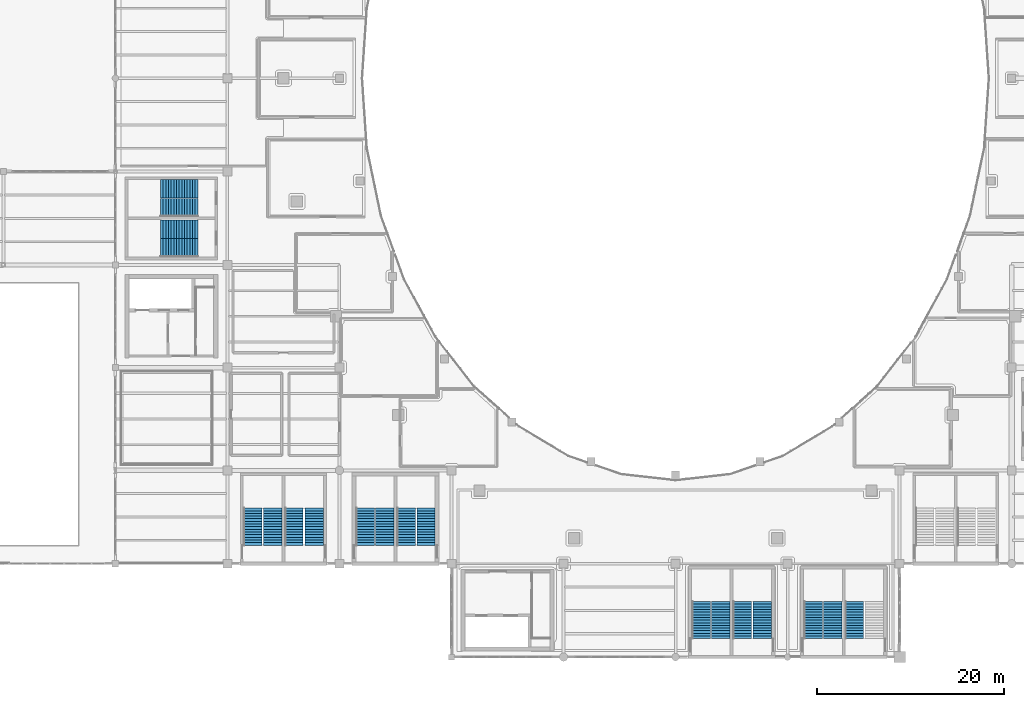
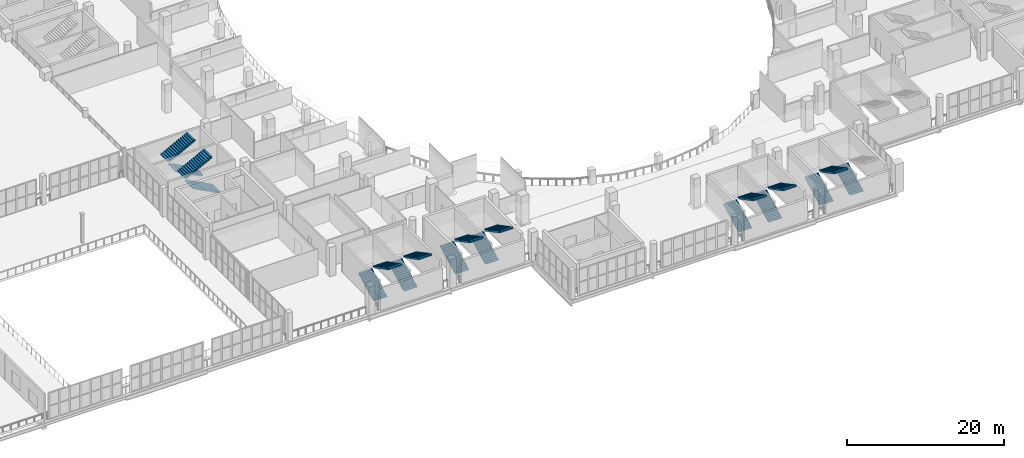
# One storey, part 69 of 90: 19 stair flights, 10 elements without a shape of their own.
"""IFC4 building model written with IfcOpenShell, lengths in metres."""

from ifc_helpers import new_model, si_unit, direction, frame, origin, place, context, subcontext, project, spatial, polyline, outline, extrude, material, layer, layer_set, type_object, element, aggregate, save


model = new_model("IFC4")

# Units and contexts
model_context = context("Model", 3, precision=1e-05, world=origin(), true_north=direction((0.0, 1.0)))
body_context = subcontext(model_context, "Body", "Model", "MODEL_VIEW")
ifc_project = project(units=[si_unit("LENGTHUNIT", "METRE"), si_unit("AREAUNIT", "SQUARE_METRE"), si_unit("VOLUMEUNIT", "CUBIC_METRE"), si_unit("PLANEANGLEUNIT", "RADIAN"), si_unit("MASSUNIT", "GRAM", prefix="KILO")], contexts=[model_context])

# Site, building, storey
site_placement = place(None, origin())
site = spatial("IfcSite", under=ifc_project, at=site_placement, CompositionType="ELEMENT")
building_placement = place(site_placement, origin())
building = spatial("IfcBuilding", under=site, at=building_placement, Name="Brinegate Civic Arena", CompositionType="ELEMENT")
storey_placement = place(building_placement, frame((0.0, 0.0, 14.699951171875)))
storey = spatial("IfcBuildingStorey", under=building, at=storey_placement, Name="L03", CompositionType="ELEMENT", Elevation=14.699951171875)

# Stair, stair flights
ifc_material = material(Name="Concrete C40/50", Category="concrete")
stair_type_1 = type_object("IfcStairType", Name="STAIR-EXIT-3700", PredefinedType="HALF_TURN_STAIR", material=ifc_material)
stair_1_placement = place(storey_placement, origin())
stair_1 = element("IfcStair", 1, at=stair_1_placement, inside=storey, type_object=stair_type_1, Name="Protected Exit Stair ST-02B (L03)", PredefinedType="HALF_TURN_STAIR")
ifc_layer_1 = layer(ifc_material, 0.179931640625, Name="Concrete C40/50")
ifc_layer_set_1 = layer_set([ifc_layer_1], Name="Concrete C40/50")
stair_flight_type_1 = type_object("IfcStairFlightType", Name="FLIGHT-EXIT-3700", PredefinedType="STRAIGHT", material=ifc_layer_set_1)
stair_flight_1_placement = place(storey_placement, frame((67.139892578125, 11.969970703125, 0.0), z_axis=(0.0, 0.0, 1.0), x_axis=(0.0, 1.0, 0.0)))
stair_flight_1 = element("IfcStairFlight", 2, at=stair_flight_1_placement, type_object=stair_flight_type_1, Name="ST-02B flight 1", NumberOfRisers=15, NumberOfTreads=14, PredefinedType="STRAIGHT", RiserHeight=0.15, TreadLength=0.285, context=body_context, shape_type="SweptSolid", body=[
    extrude(outline(polyline([(0.0, 0.0), (0.0, 0.14990234375), (0.284912109375, 0.14990234375), (0.284912109375, 0.300048828125), (0.570068359375, 0.300048828125), (0.570068359375, 0.449951171875), (0.85498046875, 0.449951171875), (0.85498046875, 0.60009765625), (1.139892578125, 0.60009765625), (1.139892578125, 0.75), (1.425048828125, 0.75), (1.425048828125, 0.89990234375), (1.7099609375, 0.89990234375), (1.7099609375, 1.050048828125), (1.9951171875, 1.050048828125), (1.9951171875, 1.199951171875), (2.280029296875, 1.199951171875), (2.280029296875, 1.35009765625), (2.56494140625, 1.35009765625), (2.56494140625, 1.5), (2.85009765625, 1.5), (2.85009765625, 1.64990234375), (3.135009765625, 1.64990234375), (3.135009765625, 1.800048828125), (3.419921875, 1.800048828125), (3.419921875, 1.949951171875), (3.705078125, 1.949951171875), (3.705078125, 2.10009765625), (3.989990234375, 2.10009765625), (3.989990234375, 2.25), (3.989990234375, 1.896728515625), (0.38623046875, 0.0), (0.0, 0.0)])), frame((0.0, 0.97998046875, 0.0), z_axis=(0.0, -1.0, 0.0), x_axis=(1.0, 0.0, 0.0)), (0.0, 0.0, 1.0), 1.9599609375),
])
stair_flight_2_placement = place(storey_placement, frame((69.31005859375, 15.9599609375, 2.25), z_axis=(0.0, 0.0, 1.0), x_axis=(0.0, -1.0, 0.0)))
stair_flight_2 = element("IfcStairFlight", 3, at=stair_flight_2_placement, type_object=stair_flight_type_1, Name="ST-02B flight 2", NumberOfRisers=15, NumberOfTreads=14, PredefinedType="STRAIGHT", RiserHeight=0.15, TreadLength=0.285, context=body_context, shape_type="SweptSolid", body=[
    extrude(outline(polyline([(0.0, 0.0), (0.0, 0.14990234375), (0.284912109375, 0.14990234375), (0.284912109375, 0.300048828125), (0.570068359375, 0.300048828125), (0.570068359375, 0.449951171875), (0.85498046875, 0.449951171875), (0.85498046875, 0.60009765625), (1.139892578125, 0.60009765625), (1.139892578125, 0.75), (1.425048828125, 0.75), (1.425048828125, 0.89990234375), (1.7099609375, 0.89990234375), (1.7099609375, 1.050048828125), (1.9951171875, 1.050048828125), (1.9951171875, 1.199951171875), (2.280029296875, 1.199951171875), (2.280029296875, 1.35009765625), (2.56494140625, 1.35009765625), (2.56494140625, 1.5), (2.85009765625, 1.5), (2.85009765625, 1.64990234375), (3.135009765625, 1.64990234375), (3.135009765625, 1.800048828125), (3.419921875, 1.800048828125), (3.419921875, 1.949951171875), (3.705078125, 1.949951171875), (3.705078125, 2.10009765625), (3.989990234375, 2.10009765625), (3.989990234375, 2.25), (3.989990234375, 1.896728515625), (0.38623046875, 0.0), (0.0, 0.0)])), frame((0.0, 0.97998046875, 0.0), z_axis=(0.0, -1.0, 0.0), x_axis=(1.0, 0.0, 0.0)), (0.0, 0.0, 1.0), 1.9599609375),
])
aggregate(stair_1, [stair_flight_1, stair_flight_2])

# Stair, stair flight
stair_2_placement = place(storey_placement, origin())
stair_2 = element("IfcStair", 4, at=stair_2_placement, inside=storey, type_object=stair_type_1, Name="Protected Exit Stair ST-04B (L03)", PredefinedType="HALF_TURN_STAIR")
stair_flight_3_placement = place(storey_placement, frame((127.139892578125, 1.969970703125, 0.0), z_axis=(0.0, 0.0, 1.0), x_axis=(0.0, 1.0, 0.0)))
stair_flight_3 = element("IfcStairFlight", 5, at=stair_flight_3_placement, type_object=stair_flight_type_1, Name="ST-04B flight 1", NumberOfRisers=15, NumberOfTreads=14, PredefinedType="STRAIGHT", RiserHeight=0.15, TreadLength=0.285, context=body_context, shape_type="SweptSolid", body=[
    extrude(outline(polyline([(0.0, 0.0), (0.0, 0.14990234375), (0.284912109375, 0.14990234375), (0.284912109375, 0.300048828125), (0.570068359375, 0.300048828125), (0.570068359375, 0.449951171875), (0.85498046875, 0.449951171875), (0.85498046875, 0.60009765625), (1.139892578125, 0.60009765625), (1.139892578125, 0.75), (1.425048828125, 0.75), (1.425048828125, 0.89990234375), (1.7099609375, 0.89990234375), (1.7099609375, 1.050048828125), (1.9951171875, 1.050048828125), (1.9951171875, 1.199951171875), (2.280029296875, 1.199951171875), (2.280029296875, 1.35009765625), (2.56494140625, 1.35009765625), (2.56494140625, 1.5), (2.85009765625, 1.5), (2.85009765625, 1.64990234375), (3.135009765625, 1.64990234375), (3.135009765625, 1.800048828125), (3.419921875, 1.800048828125), (3.419921875, 1.949951171875), (3.705078125, 1.949951171875), (3.705078125, 2.10009765625), (3.989990234375, 2.10009765625), (3.989990234375, 2.25), (3.989990234375, 1.896728515625), (0.38623046875, 0.0), (0.0, 0.0)])), frame((0.0, 0.97998046875, 0.0), z_axis=(0.0, -1.0, 0.0), x_axis=(1.0, 0.0, 0.0)), (0.0, 0.0, 1.0), 1.9599609375),
])
aggregate(stair_2, [stair_flight_3])

# Stair, stair flights
stair_3_placement = place(storey_placement, origin())
stair_3 = element("IfcStair", 6, at=stair_3_placement, inside=storey, type_object=stair_type_1, Name="Protected Exit Stair ST-08B (L03)", PredefinedType="HALF_TURN_STAIR")
stair_flight_4_placement = place(storey_placement, frame((56.830078125, 48.139892578125, 0.0), z_axis=(0.0, 0.0, 1.0), x_axis=(-1.0, 0.0, 0.0)))
stair_flight_4 = element("IfcStairFlight", 7, at=stair_flight_4_placement, type_object=stair_flight_type_1, Name="ST-08B flight 1", NumberOfRisers=15, NumberOfTreads=14, PredefinedType="STRAIGHT", RiserHeight=0.15, TreadLength=0.285, context=body_context, shape_type="SweptSolid", body=[
    extrude(outline(polyline([(0.0, 0.0), (0.0, 0.14990234375), (0.284912109375, 0.14990234375), (0.284912109375, 0.300048828125), (0.570068359375, 0.300048828125), (0.570068359375, 0.449951171875), (0.85498046875, 0.449951171875), (0.85498046875, 0.60009765625), (1.139892578125, 0.60009765625), (1.139892578125, 0.75), (1.425048828125, 0.75), (1.425048828125, 0.89990234375), (1.7099609375, 0.89990234375), (1.7099609375, 1.050048828125), (1.9951171875, 1.050048828125), (1.9951171875, 1.199951171875), (2.280029296875, 1.199951171875), (2.280029296875, 1.35009765625), (2.56494140625, 1.35009765625), (2.56494140625, 1.5), (2.85009765625, 1.5), (2.85009765625, 1.64990234375), (3.135009765625, 1.64990234375), (3.135009765625, 1.800048828125), (3.419921875, 1.800048828125), (3.419921875, 1.949951171875), (3.705078125, 1.949951171875), (3.705078125, 2.10009765625), (3.989990234375, 2.10009765625), (3.989990234375, 2.25), (3.989990234375, 1.896728515625), (0.38623046875, 0.0), (0.0, 0.0)])), frame((0.0, 0.97998046875, 0.0), z_axis=(0.0, -1.0, 0.0), x_axis=(1.0, 0.0, 0.0)), (0.0, 0.0, 1.0), 1.9599609375),
])
stair_flight_5_placement = place(storey_placement, frame((52.840087890625, 50.159912109375, 2.25), z_axis=(0.0, 0.0, 1.0), x_axis=(1.0, 0.0, 0.0)))
stair_flight_5 = element("IfcStairFlight", 8, at=stair_flight_5_placement, type_object=stair_flight_type_1, Name="ST-08B flight 2", NumberOfRisers=15, NumberOfTreads=14, PredefinedType="STRAIGHT", RiserHeight=0.15, TreadLength=0.285, context=body_context, shape_type="SweptSolid", body=[
    extrude(outline(polyline([(0.0, 0.0), (0.0, 0.14990234375), (0.284912109375, 0.14990234375), (0.284912109375, 0.300048828125), (0.570068359375, 0.300048828125), (0.570068359375, 0.449951171875), (0.85498046875, 0.449951171875), (0.85498046875, 0.60009765625), (1.139892578125, 0.60009765625), (1.139892578125, 0.75), (1.425048828125, 0.75), (1.425048828125, 0.89990234375), (1.7099609375, 0.89990234375), (1.7099609375, 1.050048828125), (1.9951171875, 1.050048828125), (1.9951171875, 1.199951171875), (2.280029296875, 1.199951171875), (2.280029296875, 1.35009765625), (2.56494140625, 1.35009765625), (2.56494140625, 1.5), (2.85009765625, 1.5), (2.85009765625, 1.64990234375), (3.135009765625, 1.64990234375), (3.135009765625, 1.800048828125), (3.419921875, 1.800048828125), (3.419921875, 1.949951171875), (3.705078125, 1.949951171875), (3.705078125, 2.10009765625), (3.989990234375, 2.10009765625), (3.989990234375, 2.25), (3.989990234375, 1.896728515625), (0.38623046875, 0.0), (0.0, 0.0)])), frame((0.0, 0.97998046875, 0.0), z_axis=(0.0, -1.0, 0.0), x_axis=(1.0, 0.0, 0.0)), (0.0, 0.0, 1.0), 1.9599609375),
])
aggregate(stair_3, [stair_flight_4, stair_flight_5])

stair_4_placement = place(storey_placement, origin())
stair_4 = element("IfcStair", 9, at=stair_4_placement, inside=storey, type_object=stair_type_1, Name="Protected Exit Stair ST-12B (L03)", PredefinedType="HALF_TURN_STAIR")
stair_flight_6_placement = place(storey_placement, frame((79.139892578125, 11.969970703125, 0.0), z_axis=(0.0, 0.0, 1.0), x_axis=(0.0, 1.0, 0.0)))
stair_flight_6 = element("IfcStairFlight", 10, at=stair_flight_6_placement, type_object=stair_flight_type_1, Name="ST-12B flight 1", NumberOfRisers=15, NumberOfTreads=14, PredefinedType="STRAIGHT", RiserHeight=0.15, TreadLength=0.285, context=body_context, shape_type="SweptSolid", body=[
    extrude(outline(polyline([(0.0, 0.0), (0.0, 0.14990234375), (0.284912109375, 0.14990234375), (0.284912109375, 0.300048828125), (0.570068359375, 0.300048828125), (0.570068359375, 0.449951171875), (0.85498046875, 0.449951171875), (0.85498046875, 0.60009765625), (1.139892578125, 0.60009765625), (1.139892578125, 0.75), (1.425048828125, 0.75), (1.425048828125, 0.89990234375), (1.7099609375, 0.89990234375), (1.7099609375, 1.050048828125), (1.9951171875, 1.050048828125), (1.9951171875, 1.199951171875), (2.280029296875, 1.199951171875), (2.280029296875, 1.35009765625), (2.56494140625, 1.35009765625), (2.56494140625, 1.5), (2.85009765625, 1.5), (2.85009765625, 1.64990234375), (3.135009765625, 1.64990234375), (3.135009765625, 1.800048828125), (3.419921875, 1.800048828125), (3.419921875, 1.949951171875), (3.705078125, 1.949951171875), (3.705078125, 2.10009765625), (3.989990234375, 2.10009765625), (3.989990234375, 2.25), (3.989990234375, 1.896728515625), (0.38623046875, 0.0), (0.0, 0.0)])), frame((0.0, 0.97998046875, 0.0), z_axis=(0.0, -1.0, 0.0), x_axis=(1.0, 0.0, 0.0)), (0.0, 0.0, 1.0), 1.9599609375),
])
stair_flight_7_placement = place(storey_placement, frame((81.260009765625, 15.9599609375, 2.25), z_axis=(0.0, 0.0, 1.0), x_axis=(0.0, -1.0, 0.0)))
stair_flight_7 = element("IfcStairFlight", 11, at=stair_flight_7_placement, type_object=stair_flight_type_1, Name="ST-12B flight 2", NumberOfRisers=15, NumberOfTreads=14, PredefinedType="STRAIGHT", RiserHeight=0.15, TreadLength=0.285, context=body_context, shape_type="SweptSolid", body=[
    extrude(outline(polyline([(0.0, 0.0), (0.0, 0.14990234375), (0.284912109375, 0.14990234375), (0.284912109375, 0.300048828125), (0.570068359375, 0.300048828125), (0.570068359375, 0.449951171875), (0.85498046875, 0.449951171875), (0.85498046875, 0.60009765625), (1.139892578125, 0.60009765625), (1.139892578125, 0.75), (1.425048828125, 0.75), (1.425048828125, 0.89990234375), (1.7099609375, 0.89990234375), (1.7099609375, 1.050048828125), (1.9951171875, 1.050048828125), (1.9951171875, 1.199951171875), (2.280029296875, 1.199951171875), (2.280029296875, 1.35009765625), (2.56494140625, 1.35009765625), (2.56494140625, 1.5), (2.85009765625, 1.5), (2.85009765625, 1.64990234375), (3.135009765625, 1.64990234375), (3.135009765625, 1.800048828125), (3.419921875, 1.800048828125), (3.419921875, 1.949951171875), (3.705078125, 1.949951171875), (3.705078125, 2.10009765625), (3.989990234375, 2.10009765625), (3.989990234375, 2.25), (3.989990234375, 1.896728515625), (0.38623046875, 0.0), (0.0, 0.0)])), frame((0.0, 0.97998046875, 0.0), z_axis=(0.0, -1.0, 0.0), x_axis=(1.0, 0.0, 0.0)), (0.0, 0.0, 1.0), 1.9599609375),
])
aggregate(stair_4, [stair_flight_6, stair_flight_7])

stair_5_placement = place(storey_placement, origin())
stair_5 = element("IfcStair", 12, at=stair_5_placement, inside=storey, type_object=stair_type_1, Name="Protected Exit Stair ST-16B (L03)", PredefinedType="HALF_TURN_STAIR")
stair_flight_8_placement = place(storey_placement, frame((115.139892578125, 1.969970703125, 0.0), z_axis=(0.0, 0.0, 1.0), x_axis=(0.0, 1.0, 0.0)))
stair_flight_8 = element("IfcStairFlight", 13, at=stair_flight_8_placement, type_object=stair_flight_type_1, Name="ST-16B flight 1", NumberOfRisers=15, NumberOfTreads=14, PredefinedType="STRAIGHT", RiserHeight=0.15, TreadLength=0.285, context=body_context, shape_type="SweptSolid", body=[
    extrude(outline(polyline([(0.0, 0.0), (0.0, 0.14990234375), (0.284912109375, 0.14990234375), (0.284912109375, 0.300048828125), (0.570068359375, 0.300048828125), (0.570068359375, 0.449951171875), (0.85498046875, 0.449951171875), (0.85498046875, 0.60009765625), (1.139892578125, 0.60009765625), (1.139892578125, 0.75), (1.425048828125, 0.75), (1.425048828125, 0.89990234375), (1.7099609375, 0.89990234375), (1.7099609375, 1.050048828125), (1.9951171875, 1.050048828125), (1.9951171875, 1.199951171875), (2.280029296875, 1.199951171875), (2.280029296875, 1.35009765625), (2.56494140625, 1.35009765625), (2.56494140625, 1.5), (2.85009765625, 1.5), (2.85009765625, 1.64990234375), (3.135009765625, 1.64990234375), (3.135009765625, 1.800048828125), (3.419921875, 1.800048828125), (3.419921875, 1.949951171875), (3.705078125, 1.949951171875), (3.705078125, 2.10009765625), (3.989990234375, 2.10009765625), (3.989990234375, 2.25), (3.989990234375, 1.896728515625), (0.38623046875, 0.0), (0.0, 0.0)])), frame((0.0, 0.97998046875, 0.0), z_axis=(0.0, -1.0, 0.0), x_axis=(1.0, 0.0, 0.0)), (0.0, 0.0, 1.0), 1.9599609375),
])
stair_flight_9_placement = place(storey_placement, frame((117.280029296875, 5.9599609375, 2.25), z_axis=(0.0, 0.0, 1.0), x_axis=(0.0, -1.0, 0.0)))
stair_flight_9 = element("IfcStairFlight", 14, at=stair_flight_9_placement, type_object=stair_flight_type_1, Name="ST-16B flight 2", NumberOfRisers=15, NumberOfTreads=14, PredefinedType="STRAIGHT", RiserHeight=0.15, TreadLength=0.285, context=body_context, shape_type="SweptSolid", body=[
    extrude(outline(polyline([(0.0, 0.0), (0.0, 0.14990234375), (0.284912109375, 0.14990234375), (0.284912109375, 0.300048828125), (0.570068359375, 0.300048828125), (0.570068359375, 0.449951171875), (0.85498046875, 0.449951171875), (0.85498046875, 0.60009765625), (1.139892578125, 0.60009765625), (1.139892578125, 0.75), (1.425048828125, 0.75), (1.425048828125, 0.89990234375), (1.7099609375, 0.89990234375), (1.7099609375, 1.050048828125), (1.9951171875, 1.050048828125), (1.9951171875, 1.199951171875), (2.280029296875, 1.199951171875), (2.280029296875, 1.35009765625), (2.56494140625, 1.35009765625), (2.56494140625, 1.5), (2.85009765625, 1.5), (2.85009765625, 1.64990234375), (3.135009765625, 1.64990234375), (3.135009765625, 1.800048828125), (3.419921875, 1.800048828125), (3.419921875, 1.949951171875), (3.705078125, 1.949951171875), (3.705078125, 2.10009765625), (3.989990234375, 2.10009765625), (3.989990234375, 2.25), (3.989990234375, 1.896728515625), (0.38623046875, 0.0), (0.0, 0.0)])), frame((0.0, 0.97998046875, 0.0), z_axis=(0.0, -1.0, 0.0), x_axis=(1.0, 0.0, 0.0)), (0.0, 0.0, 1.0), 1.9599609375),
])
aggregate(stair_5, [stair_flight_8, stair_flight_9])

stair_type_2 = type_object("IfcStairType", Name="STAIR-EXIT-3850", PredefinedType="HALF_TURN_STAIR", material=ifc_material)
stair_6_placement = place(storey_placement, origin())
stair_6 = element("IfcStair", 15, at=stair_6_placement, inside=storey, type_object=stair_type_2, Name="Protected Exit Stair ST-02A (L03)", PredefinedType="HALF_TURN_STAIR")
ifc_layer_2 = layer(ifc_material, 0.179931640625, Name="Concrete C40/50")
ifc_layer_set_2 = layer_set([ifc_layer_2], Name="Concrete C40/50")
stair_flight_type_2 = type_object("IfcStairFlightType", Name="FLIGHT-EXIT-3850", PredefinedType="STRAIGHT", material=ifc_layer_set_2)
stair_flight_10_placement = place(storey_placement, frame((62.699951171875, 11.969970703125, 0.0), z_axis=(0.0, 0.0, 1.0), x_axis=(0.0, 1.0, 0.0)))
stair_flight_10 = element("IfcStairFlight", 16, at=stair_flight_10_placement, type_object=stair_flight_type_2, Name="ST-02A flight 1", NumberOfRisers=15, NumberOfTreads=14, PredefinedType="STRAIGHT", RiserHeight=0.15, TreadLength=0.285, context=body_context, shape_type="SweptSolid", body=[
    extrude(outline(polyline([(0.0, 0.0), (0.0, 0.14990234375), (0.284912109375, 0.14990234375), (0.284912109375, 0.300048828125), (0.570068359375, 0.300048828125), (0.570068359375, 0.449951171875), (0.85498046875, 0.449951171875), (0.85498046875, 0.60009765625), (1.139892578125, 0.60009765625), (1.139892578125, 0.75), (1.425048828125, 0.75), (1.425048828125, 0.89990234375), (1.7099609375, 0.89990234375), (1.7099609375, 1.050048828125), (1.9951171875, 1.050048828125), (1.9951171875, 1.199951171875), (2.280029296875, 1.199951171875), (2.280029296875, 1.35009765625), (2.56494140625, 1.35009765625), (2.56494140625, 1.5), (2.85009765625, 1.5), (2.85009765625, 1.64990234375), (3.135009765625, 1.64990234375), (3.135009765625, 1.800048828125), (3.419921875, 1.800048828125), (3.419921875, 1.949951171875), (3.705078125, 1.949951171875), (3.705078125, 2.10009765625), (3.989990234375, 2.10009765625), (3.989990234375, 2.25), (3.989990234375, 1.896728515625), (0.38623046875, 0.0), (0.0, 0.0)])), frame((0.0, 0.989990234375, 0.0), z_axis=(0.0, -1.0, 0.0), x_axis=(1.0, 0.0, 0.0)), (0.0, 0.0, 1.0), 1.97998046875),
])
stair_flight_11_placement = place(storey_placement, frame((64.85009765625, 15.9599609375, 2.25), z_axis=(0.0, 0.0, 1.0), x_axis=(0.0, -1.0, 0.0)))
stair_flight_11 = element("IfcStairFlight", 17, at=stair_flight_11_placement, type_object=stair_flight_type_2, Name="ST-02A flight 2", NumberOfRisers=15, NumberOfTreads=14, PredefinedType="STRAIGHT", RiserHeight=0.15, TreadLength=0.285, context=body_context, shape_type="SweptSolid", body=[
    extrude(outline(polyline([(0.0, 0.0), (0.0, 0.14990234375), (0.284912109375, 0.14990234375), (0.284912109375, 0.300048828125), (0.570068359375, 0.300048828125), (0.570068359375, 0.449951171875), (0.85498046875, 0.449951171875), (0.85498046875, 0.60009765625), (1.139892578125, 0.60009765625), (1.139892578125, 0.75), (1.425048828125, 0.75), (1.425048828125, 0.89990234375), (1.7099609375, 0.89990234375), (1.7099609375, 1.050048828125), (1.9951171875, 1.050048828125), (1.9951171875, 1.199951171875), (2.280029296875, 1.199951171875), (2.280029296875, 1.35009765625), (2.56494140625, 1.35009765625), (2.56494140625, 1.5), (2.85009765625, 1.5), (2.85009765625, 1.64990234375), (3.135009765625, 1.64990234375), (3.135009765625, 1.800048828125), (3.419921875, 1.800048828125), (3.419921875, 1.949951171875), (3.705078125, 1.949951171875), (3.705078125, 2.10009765625), (3.989990234375, 2.10009765625), (3.989990234375, 2.25), (3.989990234375, 1.896728515625), (0.38623046875, 0.0), (0.0, 0.0)])), frame((0.0, 0.989990234375, 0.0), z_axis=(0.0, -1.0, 0.0), x_axis=(1.0, 0.0, 0.0)), (0.0, 0.0, 1.0), 1.97998046875),
])
aggregate(stair_6, [stair_flight_10, stair_flight_11])

stair_7_placement = place(storey_placement, origin())
stair_7 = element("IfcStair", 18, at=stair_7_placement, inside=storey, type_object=stair_type_2, Name="Protected Exit Stair ST-04A (L03)", PredefinedType="HALF_TURN_STAIR")
stair_flight_12_placement = place(storey_placement, frame((122.72998046875, 1.969970703125, 0.0), z_axis=(0.0, 0.0, 1.0), x_axis=(0.0, 1.0, 0.0)))
stair_flight_12 = element("IfcStairFlight", 19, at=stair_flight_12_placement, type_object=stair_flight_type_2, Name="ST-04A flight 1", NumberOfRisers=15, NumberOfTreads=14, PredefinedType="STRAIGHT", RiserHeight=0.15, TreadLength=0.285, context=body_context, shape_type="SweptSolid", body=[
    extrude(outline(polyline([(0.0, 0.0), (0.0, 0.14990234375), (0.284912109375, 0.14990234375), (0.284912109375, 0.300048828125), (0.570068359375, 0.300048828125), (0.570068359375, 0.449951171875), (0.85498046875, 0.449951171875), (0.85498046875, 0.60009765625), (1.139892578125, 0.60009765625), (1.139892578125, 0.75), (1.425048828125, 0.75), (1.425048828125, 0.89990234375), (1.7099609375, 0.89990234375), (1.7099609375, 1.050048828125), (1.9951171875, 1.050048828125), (1.9951171875, 1.199951171875), (2.280029296875, 1.199951171875), (2.280029296875, 1.35009765625), (2.56494140625, 1.35009765625), (2.56494140625, 1.5), (2.85009765625, 1.5), (2.85009765625, 1.64990234375), (3.135009765625, 1.64990234375), (3.135009765625, 1.800048828125), (3.419921875, 1.800048828125), (3.419921875, 1.949951171875), (3.705078125, 1.949951171875), (3.705078125, 2.10009765625), (3.989990234375, 2.10009765625), (3.989990234375, 2.25), (3.989990234375, 1.896728515625), (0.38623046875, 0.0), (0.0, 0.0)])), frame((0.0, 0.989990234375, 0.0), z_axis=(0.0, -1.0, 0.0), x_axis=(1.0, 0.0, 0.0)), (0.0, 0.0, 1.0), 1.97998046875),
])
stair_flight_13_placement = place(storey_placement, frame((124.85009765625, 5.9599609375, 2.25), z_axis=(0.0, 0.0, 1.0), x_axis=(0.0, -1.0, 0.0)))
stair_flight_13 = element("IfcStairFlight", 20, at=stair_flight_13_placement, type_object=stair_flight_type_2, Name="ST-04A flight 2", NumberOfRisers=15, NumberOfTreads=14, PredefinedType="STRAIGHT", RiserHeight=0.15, TreadLength=0.285, context=body_context, shape_type="SweptSolid", body=[
    extrude(outline(polyline([(0.0, 0.0), (0.0, 0.14990234375), (0.284912109375, 0.14990234375), (0.284912109375, 0.300048828125), (0.570068359375, 0.300048828125), (0.570068359375, 0.449951171875), (0.85498046875, 0.449951171875), (0.85498046875, 0.60009765625), (1.139892578125, 0.60009765625), (1.139892578125, 0.75), (1.425048828125, 0.75), (1.425048828125, 0.89990234375), (1.7099609375, 0.89990234375), (1.7099609375, 1.050048828125), (1.9951171875, 1.050048828125), (1.9951171875, 1.199951171875), (2.280029296875, 1.199951171875), (2.280029296875, 1.35009765625), (2.56494140625, 1.35009765625), (2.56494140625, 1.5), (2.85009765625, 1.5), (2.85009765625, 1.64990234375), (3.135009765625, 1.64990234375), (3.135009765625, 1.800048828125), (3.419921875, 1.800048828125), (3.419921875, 1.949951171875), (3.705078125, 1.949951171875), (3.705078125, 2.10009765625), (3.989990234375, 2.10009765625), (3.989990234375, 2.25), (3.989990234375, 1.896728515625), (0.38623046875, 0.0), (0.0, 0.0)])), frame((0.0, 0.989990234375, 0.0), z_axis=(0.0, -1.0, 0.0), x_axis=(1.0, 0.0, 0.0)), (0.0, 0.0, 1.0), 1.97998046875),
])
aggregate(stair_7, [stair_flight_12, stair_flight_13])

stair_8_placement = place(storey_placement, origin())
stair_8 = element("IfcStair", 21, at=stair_8_placement, inside=storey, type_object=stair_type_2, Name="Protected Exit Stair ST-08A (L03)", PredefinedType="HALF_TURN_STAIR")
stair_flight_14_placement = place(storey_placement, frame((56.830078125, 43.85009765625, 0.0), z_axis=(0.0, 0.0, 1.0), x_axis=(-1.0, 0.0, 0.0)))
stair_flight_14 = element("IfcStairFlight", 22, at=stair_flight_14_placement, type_object=stair_flight_type_2, Name="ST-08A flight 1", NumberOfRisers=15, NumberOfTreads=14, PredefinedType="STRAIGHT", RiserHeight=0.15, TreadLength=0.285, context=body_context, shape_type="SweptSolid", body=[
    extrude(outline(polyline([(0.0, 0.0), (0.0, 0.14990234375), (0.284912109375, 0.14990234375), (0.284912109375, 0.300048828125), (0.570068359375, 0.300048828125), (0.570068359375, 0.449951171875), (0.85498046875, 0.449951171875), (0.85498046875, 0.60009765625), (1.139892578125, 0.60009765625), (1.139892578125, 0.75), (1.425048828125, 0.75), (1.425048828125, 0.89990234375), (1.7099609375, 0.89990234375), (1.7099609375, 1.050048828125), (1.9951171875, 1.050048828125), (1.9951171875, 1.199951171875), (2.280029296875, 1.199951171875), (2.280029296875, 1.35009765625), (2.56494140625, 1.35009765625), (2.56494140625, 1.5), (2.85009765625, 1.5), (2.85009765625, 1.64990234375), (3.135009765625, 1.64990234375), (3.135009765625, 1.800048828125), (3.419921875, 1.800048828125), (3.419921875, 1.949951171875), (3.705078125, 1.949951171875), (3.705078125, 2.10009765625), (3.989990234375, 2.10009765625), (3.989990234375, 2.25), (3.989990234375, 1.896728515625), (0.38623046875, 0.0), (0.0, 0.0)])), frame((0.0, 0.989990234375, 0.0), z_axis=(0.0, -1.0, 0.0), x_axis=(1.0, 0.0, 0.0)), (0.0, 0.0, 1.0), 1.97998046875),
])
stair_flight_15_placement = place(storey_placement, frame((52.840087890625, 45.85009765625, 2.25), z_axis=(0.0, 0.0, 1.0), x_axis=(1.0, 0.0, 0.0)))
stair_flight_15 = element("IfcStairFlight", 23, at=stair_flight_15_placement, type_object=stair_flight_type_2, Name="ST-08A flight 2", NumberOfRisers=15, NumberOfTreads=14, PredefinedType="STRAIGHT", RiserHeight=0.15, TreadLength=0.285, context=body_context, shape_type="SweptSolid", body=[
    extrude(outline(polyline([(0.0, 0.0), (0.0, 0.14990234375), (0.284912109375, 0.14990234375), (0.284912109375, 0.300048828125), (0.570068359375, 0.300048828125), (0.570068359375, 0.449951171875), (0.85498046875, 0.449951171875), (0.85498046875, 0.60009765625), (1.139892578125, 0.60009765625), (1.139892578125, 0.75), (1.425048828125, 0.75), (1.425048828125, 0.89990234375), (1.7099609375, 0.89990234375), (1.7099609375, 1.050048828125), (1.9951171875, 1.050048828125), (1.9951171875, 1.199951171875), (2.280029296875, 1.199951171875), (2.280029296875, 1.35009765625), (2.56494140625, 1.35009765625), (2.56494140625, 1.5), (2.85009765625, 1.5), (2.85009765625, 1.64990234375), (3.135009765625, 1.64990234375), (3.135009765625, 1.800048828125), (3.419921875, 1.800048828125), (3.419921875, 1.949951171875), (3.705078125, 1.949951171875), (3.705078125, 2.10009765625), (3.989990234375, 2.10009765625), (3.989990234375, 2.25), (3.989990234375, 1.896728515625), (0.38623046875, 0.0), (0.0, 0.0)])), frame((0.0, 0.989990234375, 0.0), z_axis=(0.0, -1.0, 0.0), x_axis=(1.0, 0.0, 0.0)), (0.0, 0.0, 1.0), 1.97998046875),
])
aggregate(stair_8, [stair_flight_14, stair_flight_15])

stair_9_placement = place(storey_placement, origin())
stair_9 = element("IfcStair", 24, at=stair_9_placement, inside=storey, type_object=stair_type_2, Name="Protected Exit Stair ST-12A (L03)", PredefinedType="HALF_TURN_STAIR")
stair_flight_16_placement = place(storey_placement, frame((74.75, 11.969970703125, 0.0), z_axis=(0.0, 0.0, 1.0), x_axis=(0.0, 1.0, 0.0)))
stair_flight_16 = element("IfcStairFlight", 25, at=stair_flight_16_placement, type_object=stair_flight_type_2, Name="ST-12A flight 1", NumberOfRisers=15, NumberOfTreads=14, PredefinedType="STRAIGHT", RiserHeight=0.15, TreadLength=0.285, context=body_context, shape_type="SweptSolid", body=[
    extrude(outline(polyline([(0.0, 0.0), (0.0, 0.14990234375), (0.284912109375, 0.14990234375), (0.284912109375, 0.300048828125), (0.570068359375, 0.300048828125), (0.570068359375, 0.449951171875), (0.85498046875, 0.449951171875), (0.85498046875, 0.60009765625), (1.139892578125, 0.60009765625), (1.139892578125, 0.75), (1.425048828125, 0.75), (1.425048828125, 0.89990234375), (1.7099609375, 0.89990234375), (1.7099609375, 1.050048828125), (1.9951171875, 1.050048828125), (1.9951171875, 1.199951171875), (2.280029296875, 1.199951171875), (2.280029296875, 1.35009765625), (2.56494140625, 1.35009765625), (2.56494140625, 1.5), (2.85009765625, 1.5), (2.85009765625, 1.64990234375), (3.135009765625, 1.64990234375), (3.135009765625, 1.800048828125), (3.419921875, 1.800048828125), (3.419921875, 1.949951171875), (3.705078125, 1.949951171875), (3.705078125, 2.10009765625), (3.989990234375, 2.10009765625), (3.989990234375, 2.25), (3.989990234375, 1.896728515625), (0.38623046875, 0.0), (0.0, 0.0)])), frame((0.0, 0.989990234375, 0.0), z_axis=(0.0, -1.0, 0.0), x_axis=(1.0, 0.0, 0.0)), (0.0, 0.0, 1.0), 1.97998046875),
])
stair_flight_17_placement = place(storey_placement, frame((76.85009765625, 15.9599609375, 2.25), z_axis=(0.0, 0.0, 1.0), x_axis=(0.0, -1.0, 0.0)))
stair_flight_17 = element("IfcStairFlight", 26, at=stair_flight_17_placement, type_object=stair_flight_type_2, Name="ST-12A flight 2", NumberOfRisers=15, NumberOfTreads=14, PredefinedType="STRAIGHT", RiserHeight=0.15, TreadLength=0.285, context=body_context, shape_type="SweptSolid", body=[
    extrude(outline(polyline([(0.0, 0.0), (0.0, 0.14990234375), (0.284912109375, 0.14990234375), (0.284912109375, 0.300048828125), (0.570068359375, 0.300048828125), (0.570068359375, 0.449951171875), (0.85498046875, 0.449951171875), (0.85498046875, 0.60009765625), (1.139892578125, 0.60009765625), (1.139892578125, 0.75), (1.425048828125, 0.75), (1.425048828125, 0.89990234375), (1.7099609375, 0.89990234375), (1.7099609375, 1.050048828125), (1.9951171875, 1.050048828125), (1.9951171875, 1.199951171875), (2.280029296875, 1.199951171875), (2.280029296875, 1.35009765625), (2.56494140625, 1.35009765625), (2.56494140625, 1.5), (2.85009765625, 1.5), (2.85009765625, 1.64990234375), (3.135009765625, 1.64990234375), (3.135009765625, 1.800048828125), (3.419921875, 1.800048828125), (3.419921875, 1.949951171875), (3.705078125, 1.949951171875), (3.705078125, 2.10009765625), (3.989990234375, 2.10009765625), (3.989990234375, 2.25), (3.989990234375, 1.896728515625), (0.38623046875, 0.0), (0.0, 0.0)])), frame((0.0, 0.989990234375, 0.0), z_axis=(0.0, -1.0, 0.0), x_axis=(1.0, 0.0, 0.0)), (0.0, 0.0, 1.0), 1.97998046875),
])
aggregate(stair_9, [stair_flight_16, stair_flight_17])

stair_10_placement = place(storey_placement, origin())
stair_10 = element("IfcStair", 27, at=stair_10_placement, inside=storey, type_object=stair_type_2, Name="Protected Exit Stair ST-16A (L03)", PredefinedType="HALF_TURN_STAIR")
stair_flight_18_placement = place(storey_placement, frame((110.72998046875, 1.969970703125, 0.0), z_axis=(0.0, 0.0, 1.0), x_axis=(0.0, 1.0, 0.0)))
stair_flight_18 = element("IfcStairFlight", 28, at=stair_flight_18_placement, type_object=stair_flight_type_2, Name="ST-16A flight 1", NumberOfRisers=15, NumberOfTreads=14, PredefinedType="STRAIGHT", RiserHeight=0.15, TreadLength=0.285, context=body_context, shape_type="SweptSolid", body=[
    extrude(outline(polyline([(0.0, 0.0), (0.0, 0.14990234375), (0.284912109375, 0.14990234375), (0.284912109375, 0.300048828125), (0.570068359375, 0.300048828125), (0.570068359375, 0.449951171875), (0.85498046875, 0.449951171875), (0.85498046875, 0.60009765625), (1.139892578125, 0.60009765625), (1.139892578125, 0.75), (1.425048828125, 0.75), (1.425048828125, 0.89990234375), (1.7099609375, 0.89990234375), (1.7099609375, 1.050048828125), (1.9951171875, 1.050048828125), (1.9951171875, 1.199951171875), (2.280029296875, 1.199951171875), (2.280029296875, 1.35009765625), (2.56494140625, 1.35009765625), (2.56494140625, 1.5), (2.85009765625, 1.5), (2.85009765625, 1.64990234375), (3.135009765625, 1.64990234375), (3.135009765625, 1.800048828125), (3.419921875, 1.800048828125), (3.419921875, 1.949951171875), (3.705078125, 1.949951171875), (3.705078125, 2.10009765625), (3.989990234375, 2.10009765625), (3.989990234375, 2.25), (3.989990234375, 1.896728515625), (0.38623046875, 0.0), (0.0, 0.0)])), frame((0.0, 0.989990234375, 0.0), z_axis=(0.0, -1.0, 0.0), x_axis=(1.0, 0.0, 0.0)), (0.0, 0.0, 1.0), 1.97998046875),
])
stair_flight_19_placement = place(storey_placement, frame((112.85009765625, 5.9599609375, 2.25), z_axis=(0.0, 0.0, 1.0), x_axis=(0.0, -1.0, 0.0)))
stair_flight_19 = element("IfcStairFlight", 29, at=stair_flight_19_placement, type_object=stair_flight_type_2, Name="ST-16A flight 2", NumberOfRisers=15, NumberOfTreads=14, PredefinedType="STRAIGHT", RiserHeight=0.15, TreadLength=0.285, context=body_context, shape_type="SweptSolid", body=[
    extrude(outline(polyline([(0.0, 0.0), (0.0, 0.14990234375), (0.284912109375, 0.14990234375), (0.284912109375, 0.300048828125), (0.570068359375, 0.300048828125), (0.570068359375, 0.449951171875), (0.85498046875, 0.449951171875), (0.85498046875, 0.60009765625), (1.139892578125, 0.60009765625), (1.139892578125, 0.75), (1.425048828125, 0.75), (1.425048828125, 0.89990234375), (1.7099609375, 0.89990234375), (1.7099609375, 1.050048828125), (1.9951171875, 1.050048828125), (1.9951171875, 1.199951171875), (2.280029296875, 1.199951171875), (2.280029296875, 1.35009765625), (2.56494140625, 1.35009765625), (2.56494140625, 1.5), (2.85009765625, 1.5), (2.85009765625, 1.64990234375), (3.135009765625, 1.64990234375), (3.135009765625, 1.800048828125), (3.419921875, 1.800048828125), (3.419921875, 1.949951171875), (3.705078125, 1.949951171875), (3.705078125, 2.10009765625), (3.989990234375, 2.10009765625), (3.989990234375, 2.25), (3.989990234375, 1.896728515625), (0.38623046875, 0.0), (0.0, 0.0)])), frame((0.0, 0.989990234375, 0.0), z_axis=(0.0, -1.0, 0.0), x_axis=(1.0, 0.0, 0.0)), (0.0, 0.0, 1.0), 1.97998046875),
])
aggregate(stair_10, [stair_flight_18, stair_flight_19])

save(model, "model.ifc")
